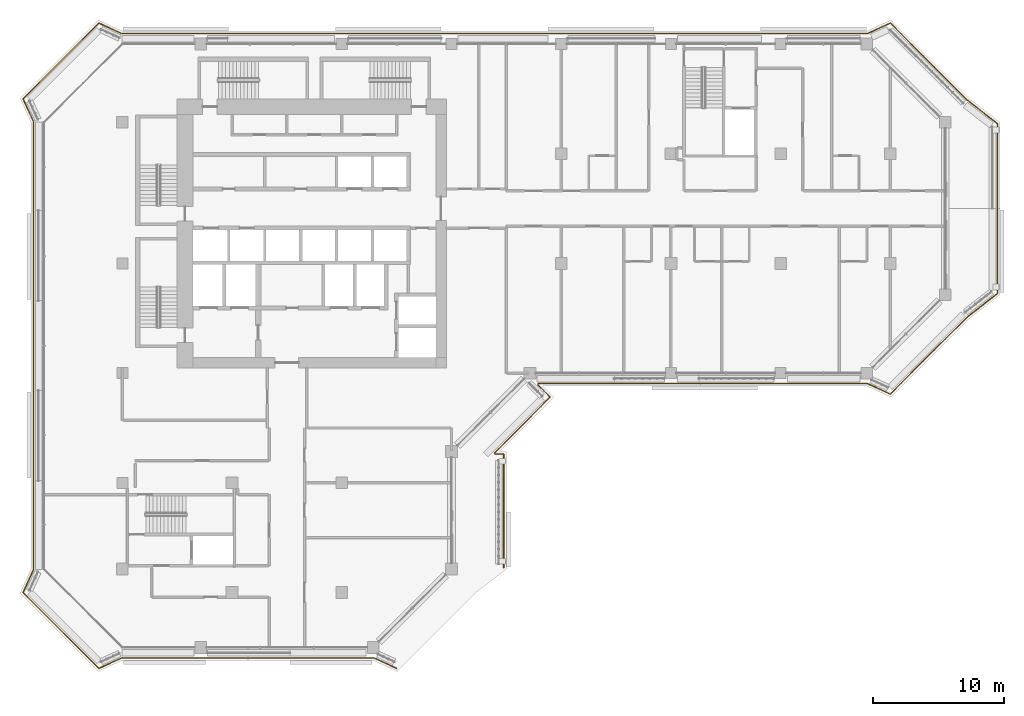
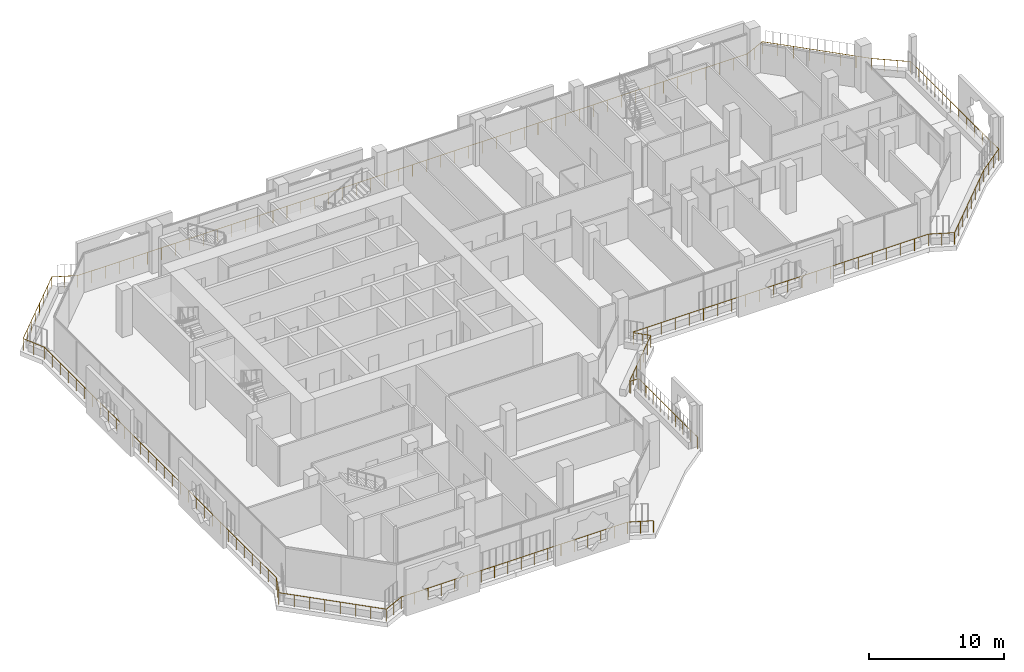
# One storey, part 18 of 22: 1 railing.
"""IFC4 building model written with IfcOpenShell, lengths in metres."""

from ifc_helpers import new_model, si_unit, direction, frame, origin, origin_2d, place, context, subcontext, project, spatial, circle, extrude, material, type_object, element, save


model = new_model("IFC4")

# Units and contexts
model_context = context("Model", 3, precision=1e-05, world=origin(), true_north=direction((0.0, 1.0)))
body_context = subcontext(model_context, "Body", "Model", "MODEL_VIEW")
ifc_project = project(units=[si_unit("LENGTHUNIT", "METRE"), si_unit("AREAUNIT", "SQUARE_METRE"), si_unit("VOLUMEUNIT", "CUBIC_METRE"), si_unit("PLANEANGLEUNIT", "RADIAN"), si_unit("MASSUNIT", "GRAM", prefix="KILO")], contexts=[model_context])

# Site, building, storey
site_placement = place(None, origin())
site = spatial("IfcSite", under=ifc_project, at=site_placement, CompositionType="ELEMENT")
building_placement = place(site_placement, origin())
building = spatial("IfcBuilding", under=site, at=building_placement, Name="Kawkab Arch Medical Tower", CompositionType="ELEMENT")
storey_placement = place(building_placement, frame((0.0, 0.0, 251.60009765625)))
storey = spatial("IfcBuildingStorey", under=building, at=storey_placement, Name="L58", CompositionType="ELEMENT", Elevation=251.60009765625)

# Railing
ifc_material = material(Name="Bronze anodised aluminium guard", Category="aluminium")
railing_type = type_object("IfcRailingType", Name="Loggia and terrace guard 1100", PredefinedType="GUARDRAIL", material=ifc_material)
railing_placement = place(storey_placement, frame((20.9951171875, -47.798095703125, 0.0)))
element("IfcRailing", 1, at=railing_placement, inside=storey, type_object=railing_type, Name="Guard L58.LOG-01.1.1", PredefinedType="GUARDRAIL", context=body_context, shape_type="SweptSolid", body=[
    extrude(circle(Radius=0.02392578125, at=origin_2d()), frame((0.0, 0.0, 1.076171875), z_axis=(-0.910044860056, 0.414509773934, 0.0), x_axis=(-0.414509773934, -0.910044860056, 0.0)), (0.0, 0.0, 1.0), 1.92529296875),
    extrude(circle(Radius=0.02392578125, at=origin_2d()), frame((-1.752197265625, 0.798095703125, 1.076171875), z_axis=(-1.0, 0.0, 0.0), x_axis=(0.0, -1.0, 0.0)), (0.0, 0.0, 1.0), 19.285888671875),
    extrude(circle(Radius=0.02392578125, at=origin_2d()), frame((-21.0380859375, 0.798095703125, 1.076171875), z_axis=(-0.910023069687, -0.414557610759, 0.0), x_axis=(0.414557610759, -0.910023069687, 0.0)), (0.0, 0.0, 1.0), 1.92529296875),
    extrude(circle(Radius=0.02392578125, at=origin_2d()), frame((-22.7900390625, 0.0, 1.076171875), z_axis=(-0.707106781187, 0.707106781187, 0.0), x_axis=(-0.707106781187, -0.707106781187, 0.0)), (0.0, 0.0, 1.0), 8.20654296875),
    extrude(circle(Radius=0.02392578125, at=origin_2d()), frame((-28.593017578125, 5.802978515625, 1.076171875), z_axis=(0.414404752076, 0.910092688388, 0.0), x_axis=(-0.910092688388, 0.414404752076, 0.0)), (0.0, 0.0, 1.0), 1.92529296875),
    extrude(circle(Radius=0.02392578125, at=origin_2d()), frame((-27.795166015625, 7.55517578125, 1.076171875), z_axis=(0.0, 1.0, 0.0), x_axis=(-1.0, 0.0, 0.0)), (0.0, 0.0, 1.0), 34.285888671875),
    extrude(circle(Radius=0.02392578125, at=origin_2d()), frame((-27.795166015625, 41.841064453125, 1.076171875), z_axis=(-0.414452581809, 0.910070907914, 0.0), x_axis=(-0.910070907914, -0.414452581809, 0.0)), (0.0, 0.0, 1.0), 1.925048828125),
    extrude(circle(Radius=0.02392578125, at=origin_2d()), frame((-28.593017578125, 43.593017578125, 1.076171875), z_axis=(0.707106781187, 0.707106781187, 0.0), x_axis=(-0.707106781187, 0.707106781187, 0.0)), (0.0, 0.0, 1.0), 8.20654296875),
    extrude(circle(Radius=0.02392578125, at=origin_2d()), frame((-22.7900390625, 49.39599609375, 1.076171875), z_axis=(0.910070907914, -0.414452581809, 0.0), x_axis=(0.414452581809, 0.910070907914, 0.0)), (0.0, 0.0, 1.0), 1.925048828125),
    extrude(circle(Radius=0.02392578125, at=origin_2d()), frame((-21.0380859375, 48.59814453125, 1.076171875), z_axis=(1.0, 0.0, 0.0), x_axis=(0.0, 1.0, 0.0)), (0.0, 0.0, 1.0), 57.0859375),
    extrude(circle(Radius=0.02392578125, at=origin_2d()), frame((36.0478515625, 48.59814453125, 1.076171875), z_axis=(0.910070907914, 0.414452581809, 0.0), x_axis=(-0.414452581809, 0.910070907914, 0.0)), (0.0, 0.0, 1.0), 1.925048828125),
    extrude(circle(Radius=0.02392578125, at=origin_2d()), frame((37.7998046875, 49.39599609375, 1.076171875), z_axis=(0.707121386154, -0.707092175918, 0.0), x_axis=(0.707092175918, 0.707121386154, 0.0)), (0.0, 0.0, 1.0), 8.358154296875),
    extrude(circle(Radius=0.02392578125, at=origin_2d()), frame((43.7099609375, 43.486083984375, 1.076171875), z_axis=(0.789193964876, -0.614144026922, 0.0), x_axis=(0.614144026922, 0.789193964876, 0.0)), (0.0, 0.0, 1.0), 2.907958984375),
    extrude(circle(Radius=0.02392578125, at=origin_2d()), frame((46.0048828125, 41.7001953125, 1.076171875), z_axis=(0.0, -1.0, 0.0), x_axis=(1.0, 0.0, 0.0)), (0.0, 0.0, 1.0), 13.004150390625),
    extrude(circle(Radius=0.02392578125, at=origin_2d()), frame((46.0048828125, 28.696044921875, 1.076171875), z_axis=(-0.789193964876, -0.614144026922, 0.0), x_axis=(0.614144026922, -0.789193964876, 0.0)), (0.0, 0.0, 1.0), 2.907958984375),
    extrude(circle(Radius=0.02392578125, at=origin_2d()), frame((43.7099609375, 26.91015625, 1.076171875), z_axis=(-0.707106781187, -0.707106781187, 0.0), x_axis=(0.707106781187, -0.707106781187, 0.0)), (0.0, 0.0, 1.0), 8.358154296875),
    extrude(circle(Radius=0.02392578125, at=origin_2d()), frame((37.7998046875, 21.0, 1.076171875), z_axis=(-0.910023069687, 0.414557610759, 0.0), x_axis=(-0.414557610759, -0.910023069687, 0.0)), (0.0, 0.0, 1.0), 1.92529296875),
    extrude(circle(Radius=0.02392578125, at=origin_2d()), frame((36.0478515625, 21.798095703125, 1.076171875), z_axis=(-1.0, 0.0, 0.0), x_axis=(0.0, -1.0, 0.0)), (0.0, 0.0, 1.0), 25.19287109375),
    extrude(circle(Radius=0.02392578125, at=origin_2d()), frame((10.85498046875, 21.798095703125, 1.076171875), z_axis=(-0.383763674343, -0.923431341387, 0.0), x_axis=(0.923431341387, -0.383763674343, 0.0)), (0.0, 0.0, 1.0), 0.101806640625),
    extrude(circle(Radius=0.02392578125, at=origin_2d()), frame((10.81591796875, 21.7041015625, 1.076171875), z_axis=(0.707015335112, -0.707198215437, 0.0), x_axis=(0.707198215437, 0.707015335112, 0.0)), (0.0, 0.0, 1.0), 1.3349609375),
    extrude(circle(Radius=0.02392578125, at=origin_2d()), frame((11.759765625, 20.760009765625, 1.076171875), z_axis=(-0.707025867263, -0.707187685852, 0.0), x_axis=(0.707187685852, -0.707025867263, 0.0)), (0.0, 0.0, 1.0), 6.034912109375),
    extrude(circle(Radius=0.02392578125, at=origin_2d()), frame((7.492919921875, 16.4921875, 1.076171875), z_axis=(0.383763674343, -0.923431341387, 0.0), x_axis=(0.923431341387, 0.383763674343, 0.0)), (0.0, 0.0, 1.0), 0.101806640625),
    extrude(circle(Radius=0.02392578125, at=origin_2d()), frame((7.531982421875, 16.398193359375, 1.076171875), z_axis=(1.0, 0.0, 0.0), x_axis=(0.0, 1.0, 0.0)), (0.0, 0.0, 1.0), 0.6728515625),
    extrude(circle(Radius=0.02392578125, at=origin_2d()), frame((8.204833984375, 16.398193359375, 1.076171875), z_axis=(0.0, -1.0, 0.0), x_axis=(1.0, 0.0, 0.0)), (0.0, 0.0, 1.0), 8.7021484375),
    extrude(circle(Radius=0.02099609375, at=origin_2d()), origin(), (0.0, 0.0, 1.0), 1.052001953125),
    extrude(circle(Radius=0.02099609375, at=origin_2d()), frame((-0.8759765625, 0.39892578125, 0.0)), (0.0, 0.0, 1.0), 1.052001953125),
    extrude(circle(Radius=0.02099609375, at=origin_2d()), frame((-1.752197265625, 0.798095703125, 0.0)), (0.0, 0.0, 1.0), 1.052001953125),
    extrude(circle(Radius=0.02099609375, at=origin_2d()), frame((-2.88671875, 0.798095703125, 0.0)), (0.0, 0.0, 1.0), 1.052001953125),
    extrude(circle(Radius=0.02099609375, at=origin_2d()), frame((-4.021240234375, 0.798095703125, 0.0)), (0.0, 0.0, 1.0), 1.052001953125),
    extrude(circle(Radius=0.02099609375, at=origin_2d()), frame((-5.155517578125, 0.798095703125, 0.0)), (0.0, 0.0, 1.0), 1.052001953125),
    extrude(circle(Radius=0.02099609375, at=origin_2d()), frame((-6.2900390625, 0.798095703125, 0.0)), (0.0, 0.0, 1.0), 1.052001953125),
    extrude(circle(Radius=0.02099609375, at=origin_2d()), frame((-7.424560546875, 0.798095703125, 0.0)), (0.0, 0.0, 1.0), 1.052001953125),
    extrude(circle(Radius=0.02099609375, at=origin_2d()), frame((-8.55908203125, 0.798095703125, 0.0)), (0.0, 0.0, 1.0), 1.052001953125),
    extrude(circle(Radius=0.02099609375, at=origin_2d()), frame((-9.693359375, 0.798095703125, 0.0)), (0.0, 0.0, 1.0), 1.052001953125),
    extrude(circle(Radius=0.02099609375, at=origin_2d()), frame((-10.827880859375, 0.798095703125, 0.0)), (0.0, 0.0, 1.0), 1.052001953125),
    extrude(circle(Radius=0.02099609375, at=origin_2d()), frame((-11.96240234375, 0.798095703125, 0.0)), (0.0, 0.0, 1.0), 1.052001953125),
    extrude(circle(Radius=0.02099609375, at=origin_2d()), frame((-13.096923828125, 0.798095703125, 0.0)), (0.0, 0.0, 1.0), 1.052001953125),
    extrude(circle(Radius=0.02099609375, at=origin_2d()), frame((-14.231201171875, 0.798095703125, 0.0)), (0.0, 0.0, 1.0), 1.052001953125),
    extrude(circle(Radius=0.02099609375, at=origin_2d()), frame((-15.36572265625, 0.798095703125, 0.0)), (0.0, 0.0, 1.0), 1.052001953125),
    extrude(circle(Radius=0.02099609375, at=origin_2d()), frame((-16.500244140625, 0.798095703125, 0.0)), (0.0, 0.0, 1.0), 1.052001953125),
    extrude(circle(Radius=0.02099609375, at=origin_2d()), frame((-17.634765625, 0.798095703125, 0.0)), (0.0, 0.0, 1.0), 1.052001953125),
    extrude(circle(Radius=0.02099609375, at=origin_2d()), frame((-18.76904296875, 0.798095703125, 0.0)), (0.0, 0.0, 1.0), 1.052001953125),
    extrude(circle(Radius=0.02099609375, at=origin_2d()), frame((-19.903564453125, 0.798095703125, 0.0)), (0.0, 0.0, 1.0), 1.052001953125),
    extrude(circle(Radius=0.02099609375, at=origin_2d()), frame((-21.0380859375, 0.798095703125, 0.0)), (0.0, 0.0, 1.0), 1.052001953125),
    extrude(circle(Radius=0.02099609375, at=origin_2d()), frame((-21.9140625, 0.39892578125, 0.0)), (0.0, 0.0, 1.0), 1.052001953125),
    extrude(circle(Radius=0.02099609375, at=origin_2d()), frame((-22.7900390625, 0.0, 0.0)), (0.0, 0.0, 1.0), 1.052001953125),
    extrude(circle(Radius=0.02099609375, at=origin_2d()), frame((-23.619140625, 0.8291015625, 0.0)), (0.0, 0.0, 1.0), 1.052001953125),
    extrude(circle(Radius=0.02099609375, at=origin_2d()), frame((-24.447998046875, 1.657958984375, 0.0)), (0.0, 0.0, 1.0), 1.052001953125),
    extrude(circle(Radius=0.02099609375, at=origin_2d()), frame((-25.277099609375, 2.487060546875, 0.0)), (0.0, 0.0, 1.0), 1.052001953125),
    extrude(circle(Radius=0.02099609375, at=origin_2d()), frame((-26.10595703125, 3.31591796875, 0.0)), (0.0, 0.0, 1.0), 1.052001953125),
    extrude(circle(Radius=0.02099609375, at=origin_2d()), frame((-26.93505859375, 4.14501953125, 0.0)), (0.0, 0.0, 1.0), 1.052001953125),
    extrude(circle(Radius=0.02099609375, at=origin_2d()), frame((-27.763916015625, 4.973876953125, 0.0)), (0.0, 0.0, 1.0), 1.052001953125),
    extrude(circle(Radius=0.02099609375, at=origin_2d()), frame((-28.593017578125, 5.802978515625, 0.0)), (0.0, 0.0, 1.0), 1.052001953125),
    extrude(circle(Radius=0.02099609375, at=origin_2d()), frame((-28.194091796875, 6.67919921875, 0.0)), (0.0, 0.0, 1.0), 1.052001953125),
    extrude(circle(Radius=0.02099609375, at=origin_2d()), frame((-27.795166015625, 7.55517578125, 0.0)), (0.0, 0.0, 1.0), 1.052001953125),
    extrude(circle(Radius=0.02099609375, at=origin_2d()), frame((-27.795166015625, 8.737548828125, 0.0)), (0.0, 0.0, 1.0), 1.052001953125),
    extrude(circle(Radius=0.02099609375, at=origin_2d()), frame((-27.795166015625, 9.919677734375, 0.0)), (0.0, 0.0, 1.0), 1.052001953125),
    extrude(circle(Radius=0.02099609375, at=origin_2d()), frame((-27.795166015625, 11.10205078125, 0.0)), (0.0, 0.0, 1.0), 1.052001953125),
    extrude(circle(Radius=0.02099609375, at=origin_2d()), frame((-27.795166015625, 12.2841796875, 0.0)), (0.0, 0.0, 1.0), 1.052001953125),
    extrude(circle(Radius=0.02099609375, at=origin_2d()), frame((-27.795166015625, 13.466552734375, 0.0)), (0.0, 0.0, 1.0), 1.052001953125),
    extrude(circle(Radius=0.02099609375, at=origin_2d()), frame((-27.795166015625, 14.64892578125, 0.0)), (0.0, 0.0, 1.0), 1.052001953125),
    extrude(circle(Radius=0.02099609375, at=origin_2d()), frame((-27.795166015625, 15.8310546875, 0.0)), (0.0, 0.0, 1.0), 1.052001953125),
    extrude(circle(Radius=0.02099609375, at=origin_2d()), frame((-27.795166015625, 17.013427734375, 0.0)), (0.0, 0.0, 1.0), 1.052001953125),
    extrude(circle(Radius=0.02099609375, at=origin_2d()), frame((-27.795166015625, 18.195556640625, 0.0)), (0.0, 0.0, 1.0), 1.052001953125),
    extrude(circle(Radius=0.02099609375, at=origin_2d()), frame((-27.795166015625, 19.3779296875, 0.0)), (0.0, 0.0, 1.0), 1.052001953125),
    extrude(circle(Radius=0.02099609375, at=origin_2d()), frame((-27.795166015625, 20.56005859375, 0.0)), (0.0, 0.0, 1.0), 1.052001953125),
    extrude(circle(Radius=0.02099609375, at=origin_2d()), frame((-27.795166015625, 21.742431640625, 0.0)), (0.0, 0.0, 1.0), 1.052001953125),
    extrude(circle(Radius=0.02099609375, at=origin_2d()), frame((-27.795166015625, 22.9248046875, 0.0)), (0.0, 0.0, 1.0), 1.052001953125),
    extrude(circle(Radius=0.02099609375, at=origin_2d()), frame((-27.795166015625, 24.10693359375, 0.0)), (0.0, 0.0, 1.0), 1.052001953125),
    extrude(circle(Radius=0.02099609375, at=origin_2d()), frame((-27.795166015625, 25.289306640625, 0.0)), (0.0, 0.0, 1.0), 1.052001953125),
    extrude(circle(Radius=0.02099609375, at=origin_2d()), frame((-27.795166015625, 26.471435546875, 0.0)), (0.0, 0.0, 1.0), 1.052001953125),
    extrude(circle(Radius=0.02099609375, at=origin_2d()), frame((-27.795166015625, 27.65380859375, 0.0)), (0.0, 0.0, 1.0), 1.052001953125),
    extrude(circle(Radius=0.02099609375, at=origin_2d()), frame((-27.795166015625, 28.836181640625, 0.0)), (0.0, 0.0, 1.0), 1.052001953125),
    extrude(circle(Radius=0.02099609375, at=origin_2d()), frame((-27.795166015625, 30.018310546875, 0.0)), (0.0, 0.0, 1.0), 1.052001953125),
    extrude(circle(Radius=0.02099609375, at=origin_2d()), frame((-27.795166015625, 31.20068359375, 0.0)), (0.0, 0.0, 1.0), 1.052001953125),
    extrude(circle(Radius=0.02099609375, at=origin_2d()), frame((-27.795166015625, 32.3828125, 0.0)), (0.0, 0.0, 1.0), 1.052001953125),
    extrude(circle(Radius=0.02099609375, at=origin_2d()), frame((-27.795166015625, 33.565185546875, 0.0)), (0.0, 0.0, 1.0), 1.052001953125),
    extrude(circle(Radius=0.02099609375, at=origin_2d()), frame((-27.795166015625, 34.747314453125, 0.0)), (0.0, 0.0, 1.0), 1.052001953125),
    extrude(circle(Radius=0.02099609375, at=origin_2d()), frame((-27.795166015625, 35.9296875, 0.0)), (0.0, 0.0, 1.0), 1.052001953125),
    extrude(circle(Radius=0.02099609375, at=origin_2d()), frame((-27.795166015625, 37.112060546875, 0.0)), (0.0, 0.0, 1.0), 1.052001953125),
    extrude(circle(Radius=0.02099609375, at=origin_2d()), frame((-27.795166015625, 38.294189453125, 0.0)), (0.0, 0.0, 1.0), 1.052001953125),
    extrude(circle(Radius=0.02099609375, at=origin_2d()), frame((-27.795166015625, 39.4765625, 0.0)), (0.0, 0.0, 1.0), 1.052001953125),
    extrude(circle(Radius=0.02099609375, at=origin_2d()), frame((-27.795166015625, 40.65869140625, 0.0)), (0.0, 0.0, 1.0), 1.052001953125),
    extrude(circle(Radius=0.02099609375, at=origin_2d()), frame((-27.795166015625, 41.841064453125, 0.0)), (0.0, 0.0, 1.0), 1.052001953125),
    extrude(circle(Radius=0.02099609375, at=origin_2d()), frame((-28.194091796875, 42.717041015625, 0.0)), (0.0, 0.0, 1.0), 1.052001953125),
    extrude(circle(Radius=0.02099609375, at=origin_2d()), frame((-28.593017578125, 43.593017578125, 0.0)), (0.0, 0.0, 1.0), 1.052001953125),
    extrude(circle(Radius=0.02099609375, at=origin_2d()), frame((-27.763916015625, 44.422119140625, 0.0)), (0.0, 0.0, 1.0), 1.052001953125),
    extrude(circle(Radius=0.02099609375, at=origin_2d()), frame((-26.93505859375, 45.2509765625, 0.0)), (0.0, 0.0, 1.0), 1.052001953125),
    extrude(circle(Radius=0.02099609375, at=origin_2d()), frame((-26.10595703125, 46.080078125, 0.0)), (0.0, 0.0, 1.0), 1.052001953125),
    extrude(circle(Radius=0.02099609375, at=origin_2d()), frame((-25.277099609375, 46.908935546875, 0.0)), (0.0, 0.0, 1.0), 1.052001953125),
    extrude(circle(Radius=0.02099609375, at=origin_2d()), frame((-24.447998046875, 47.738037109375, 0.0)), (0.0, 0.0, 1.0), 1.052001953125),
    extrude(circle(Radius=0.02099609375, at=origin_2d()), frame((-23.619140625, 48.56689453125, 0.0)), (0.0, 0.0, 1.0), 1.052001953125),
    extrude(circle(Radius=0.02099609375, at=origin_2d()), frame((-22.7900390625, 49.39599609375, 0.0)), (0.0, 0.0, 1.0), 1.052001953125),
    extrude(circle(Radius=0.02099609375, at=origin_2d()), frame((-21.9140625, 48.9970703125, 0.0)), (0.0, 0.0, 1.0), 1.052001953125),
    extrude(circle(Radius=0.02099609375, at=origin_2d()), frame((-21.0380859375, 48.59814453125, 0.0)), (0.0, 0.0, 1.0), 1.052001953125),
    extrude(circle(Radius=0.02099609375, at=origin_2d()), frame((-19.848876953125, 48.59814453125, 0.0)), (0.0, 0.0, 1.0), 1.052001953125),
    extrude(circle(Radius=0.02099609375, at=origin_2d()), frame((-18.659423828125, 48.59814453125, 0.0)), (0.0, 0.0, 1.0), 1.052001953125),
    extrude(circle(Radius=0.02099609375, at=origin_2d()), frame((-17.47021484375, 48.59814453125, 0.0)), (0.0, 0.0, 1.0), 1.052001953125),
    extrude(circle(Radius=0.02099609375, at=origin_2d()), frame((-16.281005859375, 48.59814453125, 0.0)), (0.0, 0.0, 1.0), 1.052001953125),
    extrude(circle(Radius=0.02099609375, at=origin_2d()), frame((-15.091552734375, 48.59814453125, 0.0)), (0.0, 0.0, 1.0), 1.052001953125),
    extrude(circle(Radius=0.02099609375, at=origin_2d()), frame((-13.90234375, 48.59814453125, 0.0)), (0.0, 0.0, 1.0), 1.052001953125),
    extrude(circle(Radius=0.02099609375, at=origin_2d()), frame((-12.713134765625, 48.59814453125, 0.0)), (0.0, 0.0, 1.0), 1.052001953125),
    extrude(circle(Radius=0.02099609375, at=origin_2d()), frame((-11.523681640625, 48.59814453125, 0.0)), (0.0, 0.0, 1.0), 1.052001953125),
    extrude(circle(Radius=0.02099609375, at=origin_2d()), frame((-10.33447265625, 48.59814453125, 0.0)), (0.0, 0.0, 1.0), 1.052001953125),
    extrude(circle(Radius=0.02099609375, at=origin_2d()), frame((-9.145263671875, 48.59814453125, 0.0)), (0.0, 0.0, 1.0), 1.052001953125),
    extrude(circle(Radius=0.02099609375, at=origin_2d()), frame((-7.955810546875, 48.59814453125, 0.0)), (0.0, 0.0, 1.0), 1.052001953125),
    extrude(circle(Radius=0.02099609375, at=origin_2d()), frame((-6.7666015625, 48.59814453125, 0.0)), (0.0, 0.0, 1.0), 1.052001953125),
    extrude(circle(Radius=0.02099609375, at=origin_2d()), frame((-5.577392578125, 48.59814453125, 0.0)), (0.0, 0.0, 1.0), 1.052001953125),
    extrude(circle(Radius=0.02099609375, at=origin_2d()), frame((-4.387939453125, 48.59814453125, 0.0)), (0.0, 0.0, 1.0), 1.052001953125),
    extrude(circle(Radius=0.02099609375, at=origin_2d()), frame((-3.19873046875, 48.59814453125, 0.0)), (0.0, 0.0, 1.0), 1.052001953125),
    extrude(circle(Radius=0.02099609375, at=origin_2d()), frame((-2.009521484375, 48.59814453125, 0.0)), (0.0, 0.0, 1.0), 1.052001953125),
    extrude(circle(Radius=0.02099609375, at=origin_2d()), frame((-0.820068359375, 48.59814453125, 0.0)), (0.0, 0.0, 1.0), 1.052001953125),
    extrude(circle(Radius=0.02099609375, at=origin_2d()), frame((0.369140625, 48.59814453125, 0.0)), (0.0, 0.0, 1.0), 1.052001953125),
    extrude(circle(Radius=0.02099609375, at=origin_2d()), frame((1.558349609375, 48.59814453125, 0.0)), (0.0, 0.0, 1.0), 1.052001953125),
    extrude(circle(Radius=0.02099609375, at=origin_2d()), frame((2.747802734375, 48.59814453125, 0.0)), (0.0, 0.0, 1.0), 1.052001953125),
    extrude(circle(Radius=0.02099609375, at=origin_2d()), frame((3.93701171875, 48.59814453125, 0.0)), (0.0, 0.0, 1.0), 1.052001953125),
    extrude(circle(Radius=0.02099609375, at=origin_2d()), frame((5.126220703125, 48.59814453125, 0.0)), (0.0, 0.0, 1.0), 1.052001953125),
    extrude(circle(Radius=0.02099609375, at=origin_2d()), frame((6.315673828125, 48.59814453125, 0.0)), (0.0, 0.0, 1.0), 1.052001953125),
    extrude(circle(Radius=0.02099609375, at=origin_2d()), frame((7.5048828125, 48.59814453125, 0.0)), (0.0, 0.0, 1.0), 1.052001953125),
    extrude(circle(Radius=0.02099609375, at=origin_2d()), frame((8.694091796875, 48.59814453125, 0.0)), (0.0, 0.0, 1.0), 1.052001953125),
    extrude(circle(Radius=0.02099609375, at=origin_2d()), frame((9.883544921875, 48.59814453125, 0.0)), (0.0, 0.0, 1.0), 1.052001953125),
    extrude(circle(Radius=0.02099609375, at=origin_2d()), frame((11.07275390625, 48.59814453125, 0.0)), (0.0, 0.0, 1.0), 1.052001953125),
    extrude(circle(Radius=0.02099609375, at=origin_2d()), frame((12.261962890625, 48.59814453125, 0.0)), (0.0, 0.0, 1.0), 1.052001953125),
    extrude(circle(Radius=0.02099609375, at=origin_2d()), frame((13.451416015625, 48.59814453125, 0.0)), (0.0, 0.0, 1.0), 1.052001953125),
    extrude(circle(Radius=0.02099609375, at=origin_2d()), frame((14.640625, 48.59814453125, 0.0)), (0.0, 0.0, 1.0), 1.052001953125),
    extrude(circle(Radius=0.02099609375, at=origin_2d()), frame((15.829833984375, 48.59814453125, 0.0)), (0.0, 0.0, 1.0), 1.052001953125),
    extrude(circle(Radius=0.02099609375, at=origin_2d()), frame((17.019287109375, 48.59814453125, 0.0)), (0.0, 0.0, 1.0), 1.052001953125),
    extrude(circle(Radius=0.02099609375, at=origin_2d()), frame((18.20849609375, 48.59814453125, 0.0)), (0.0, 0.0, 1.0), 1.052001953125),
    extrude(circle(Radius=0.02099609375, at=origin_2d()), frame((19.397705078125, 48.59814453125, 0.0)), (0.0, 0.0, 1.0), 1.052001953125),
    extrude(circle(Radius=0.02099609375, at=origin_2d()), frame((20.587158203125, 48.59814453125, 0.0)), (0.0, 0.0, 1.0), 1.052001953125),
    extrude(circle(Radius=0.02099609375, at=origin_2d()), frame((21.7763671875, 48.59814453125, 0.0)), (0.0, 0.0, 1.0), 1.052001953125),
    extrude(circle(Radius=0.02099609375, at=origin_2d()), frame((22.965576171875, 48.59814453125, 0.0)), (0.0, 0.0, 1.0), 1.052001953125),
    extrude(circle(Radius=0.02099609375, at=origin_2d()), frame((24.155029296875, 48.59814453125, 0.0)), (0.0, 0.0, 1.0), 1.052001953125),
    extrude(circle(Radius=0.02099609375, at=origin_2d()), frame((25.34423828125, 48.59814453125, 0.0)), (0.0, 0.0, 1.0), 1.052001953125),
    extrude(circle(Radius=0.02099609375, at=origin_2d()), frame((26.533447265625, 48.59814453125, 0.0)), (0.0, 0.0, 1.0), 1.052001953125),
    extrude(circle(Radius=0.02099609375, at=origin_2d()), frame((27.722900390625, 48.59814453125, 0.0)), (0.0, 0.0, 1.0), 1.052001953125),
    extrude(circle(Radius=0.02099609375, at=origin_2d()), frame((28.912109375, 48.59814453125, 0.0)), (0.0, 0.0, 1.0), 1.052001953125),
    extrude(circle(Radius=0.02099609375, at=origin_2d()), frame((30.101318359375, 48.59814453125, 0.0)), (0.0, 0.0, 1.0), 1.052001953125),
    extrude(circle(Radius=0.02099609375, at=origin_2d()), frame((31.290771484375, 48.59814453125, 0.0)), (0.0, 0.0, 1.0), 1.052001953125),
    extrude(circle(Radius=0.02099609375, at=origin_2d()), frame((32.47998046875, 48.59814453125, 0.0)), (0.0, 0.0, 1.0), 1.052001953125),
    extrude(circle(Radius=0.02099609375, at=origin_2d()), frame((33.669189453125, 48.59814453125, 0.0)), (0.0, 0.0, 1.0), 1.052001953125),
    extrude(circle(Radius=0.02099609375, at=origin_2d()), frame((34.858642578125, 48.59814453125, 0.0)), (0.0, 0.0, 1.0), 1.052001953125),
    extrude(circle(Radius=0.02099609375, at=origin_2d()), frame((36.0478515625, 48.59814453125, 0.0)), (0.0, 0.0, 1.0), 1.052001953125),
    extrude(circle(Radius=0.02099609375, at=origin_2d()), frame((36.923828125, 48.9970703125, 0.0)), (0.0, 0.0, 1.0), 1.052001953125),
    extrude(circle(Radius=0.02099609375, at=origin_2d()), frame((37.7998046875, 49.39599609375, 0.0)), (0.0, 0.0, 1.0), 1.052001953125),
    extrude(circle(Radius=0.02099609375, at=origin_2d()), frame((38.64404296875, 48.5517578125, 0.0)), (0.0, 0.0, 1.0), 1.052001953125),
    extrude(circle(Radius=0.02099609375, at=origin_2d()), frame((39.488525390625, 47.70751953125, 0.0)), (0.0, 0.0, 1.0), 1.052001953125),
    extrude(circle(Radius=0.02099609375, at=origin_2d()), frame((40.332763671875, 46.86328125, 0.0)), (0.0, 0.0, 1.0), 1.052001953125),
    extrude(circle(Radius=0.02099609375, at=origin_2d()), frame((41.177001953125, 46.018798828125, 0.0)), (0.0, 0.0, 1.0), 1.052001953125),
    extrude(circle(Radius=0.02099609375, at=origin_2d()), frame((42.021240234375, 45.174560546875, 0.0)), (0.0, 0.0, 1.0), 1.052001953125),
    extrude(circle(Radius=0.02099609375, at=origin_2d()), frame((42.86572265625, 44.330322265625, 0.0)), (0.0, 0.0, 1.0), 1.052001953125),
    extrude(circle(Radius=0.02099609375, at=origin_2d()), frame((43.7099609375, 43.486083984375, 0.0)), (0.0, 0.0, 1.0), 1.052001953125),
    extrude(circle(Radius=0.02099609375, at=origin_2d()), frame((44.474853515625, 42.890869140625, 0.0)), (0.0, 0.0, 1.0), 1.052001953125),
    extrude(circle(Radius=0.02099609375, at=origin_2d()), frame((45.239990234375, 42.29541015625, 0.0)), (0.0, 0.0, 1.0), 1.052001953125),
    extrude(circle(Radius=0.02099609375, at=origin_2d()), frame((46.0048828125, 41.7001953125, 0.0)), (0.0, 0.0, 1.0), 1.052001953125),
    extrude(circle(Radius=0.02099609375, at=origin_2d()), frame((46.0048828125, 40.51806640625, 0.0)), (0.0, 0.0, 1.0), 1.052001953125),
    extrude(circle(Radius=0.02099609375, at=origin_2d()), frame((46.0048828125, 39.335693359375, 0.0)), (0.0, 0.0, 1.0), 1.052001953125),
    extrude(circle(Radius=0.02099609375, at=origin_2d()), frame((46.0048828125, 38.153564453125, 0.0)), (0.0, 0.0, 1.0), 1.052001953125),
    extrude(circle(Radius=0.02099609375, at=origin_2d()), frame((46.0048828125, 36.971435546875, 0.0)), (0.0, 0.0, 1.0), 1.052001953125),
    extrude(circle(Radius=0.02099609375, at=origin_2d()), frame((46.0048828125, 35.789306640625, 0.0)), (0.0, 0.0, 1.0), 1.052001953125),
    extrude(circle(Radius=0.02099609375, at=origin_2d()), frame((46.0048828125, 34.60693359375, 0.0)), (0.0, 0.0, 1.0), 1.052001953125),
    extrude(circle(Radius=0.02099609375, at=origin_2d()), frame((46.0048828125, 33.4248046875, 0.0)), (0.0, 0.0, 1.0), 1.052001953125),
    extrude(circle(Radius=0.02099609375, at=origin_2d()), frame((46.0048828125, 32.24267578125, 0.0)), (0.0, 0.0, 1.0), 1.052001953125),
    extrude(circle(Radius=0.02099609375, at=origin_2d()), frame((46.0048828125, 31.060546875, 0.0)), (0.0, 0.0, 1.0), 1.052001953125),
    extrude(circle(Radius=0.02099609375, at=origin_2d()), frame((46.0048828125, 29.878173828125, 0.0)), (0.0, 0.0, 1.0), 1.052001953125),
    extrude(circle(Radius=0.02099609375, at=origin_2d()), frame((46.0048828125, 28.696044921875, 0.0)), (0.0, 0.0, 1.0), 1.052001953125),
    extrude(circle(Radius=0.02099609375, at=origin_2d()), frame((45.239990234375, 28.100830078125, 0.0)), (0.0, 0.0, 1.0), 1.052001953125),
    extrude(circle(Radius=0.02099609375, at=origin_2d()), frame((44.474853515625, 27.50537109375, 0.0)), (0.0, 0.0, 1.0), 1.052001953125),
    extrude(circle(Radius=0.02099609375, at=origin_2d()), frame((43.7099609375, 26.91015625, 0.0)), (0.0, 0.0, 1.0), 1.052001953125),
    extrude(circle(Radius=0.02099609375, at=origin_2d()), frame((42.86572265625, 26.06591796875, 0.0)), (0.0, 0.0, 1.0), 1.052001953125),
    extrude(circle(Radius=0.02099609375, at=origin_2d()), frame((42.021240234375, 25.221435546875, 0.0)), (0.0, 0.0, 1.0), 1.052001953125),
    extrude(circle(Radius=0.02099609375, at=origin_2d()), frame((41.177001953125, 24.377197265625, 0.0)), (0.0, 0.0, 1.0), 1.052001953125),
    extrude(circle(Radius=0.02099609375, at=origin_2d()), frame((40.332763671875, 23.532958984375, 0.0)), (0.0, 0.0, 1.0), 1.052001953125),
    extrude(circle(Radius=0.02099609375, at=origin_2d()), frame((39.488525390625, 22.688720703125, 0.0)), (0.0, 0.0, 1.0), 1.052001953125),
    extrude(circle(Radius=0.02099609375, at=origin_2d()), frame((38.64404296875, 21.84423828125, 0.0)), (0.0, 0.0, 1.0), 1.052001953125),
    extrude(circle(Radius=0.02099609375, at=origin_2d()), frame((37.7998046875, 21.0, 0.0)), (0.0, 0.0, 1.0), 1.052001953125),
    extrude(circle(Radius=0.02099609375, at=origin_2d()), frame((36.923828125, 21.39892578125, 0.0)), (0.0, 0.0, 1.0), 1.052001953125),
    extrude(circle(Radius=0.02099609375, at=origin_2d()), frame((36.0478515625, 21.798095703125, 0.0)), (0.0, 0.0, 1.0), 1.052001953125),
    extrude(circle(Radius=0.02099609375, at=origin_2d()), frame((34.84814453125, 21.798095703125, 0.0)), (0.0, 0.0, 1.0), 1.052001953125),
    extrude(circle(Radius=0.02099609375, at=origin_2d()), frame((33.6484375, 21.798095703125, 0.0)), (0.0, 0.0, 1.0), 1.052001953125),
    extrude(circle(Radius=0.02099609375, at=origin_2d()), frame((32.448974609375, 21.798095703125, 0.0)), (0.0, 0.0, 1.0), 1.052001953125),
    extrude(circle(Radius=0.02099609375, at=origin_2d()), frame((31.249267578125, 21.798095703125, 0.0)), (0.0, 0.0, 1.0), 1.052001953125),
    extrude(circle(Radius=0.02099609375, at=origin_2d()), frame((30.049560546875, 21.798095703125, 0.0)), (0.0, 0.0, 1.0), 1.052001953125),
    extrude(circle(Radius=0.02099609375, at=origin_2d()), frame((28.849853515625, 21.798095703125, 0.0)), (0.0, 0.0, 1.0), 1.052001953125),
    extrude(circle(Radius=0.02099609375, at=origin_2d()), frame((27.650146484375, 21.798095703125, 0.0)), (0.0, 0.0, 1.0), 1.052001953125),
    extrude(circle(Radius=0.02099609375, at=origin_2d()), frame((26.45068359375, 21.798095703125, 0.0)), (0.0, 0.0, 1.0), 1.052001953125),
    extrude(circle(Radius=0.02099609375, at=origin_2d()), frame((25.2509765625, 21.798095703125, 0.0)), (0.0, 0.0, 1.0), 1.052001953125),
    extrude(circle(Radius=0.02099609375, at=origin_2d()), frame((24.05126953125, 21.798095703125, 0.0)), (0.0, 0.0, 1.0), 1.052001953125),
    extrude(circle(Radius=0.02099609375, at=origin_2d()), frame((22.8515625, 21.798095703125, 0.0)), (0.0, 0.0, 1.0), 1.052001953125),
    extrude(circle(Radius=0.02099609375, at=origin_2d()), frame((21.65185546875, 21.798095703125, 0.0)), (0.0, 0.0, 1.0), 1.052001953125),
    extrude(circle(Radius=0.02099609375, at=origin_2d()), frame((20.4521484375, 21.798095703125, 0.0)), (0.0, 0.0, 1.0), 1.052001953125),
    extrude(circle(Radius=0.02099609375, at=origin_2d()), frame((19.252685546875, 21.798095703125, 0.0)), (0.0, 0.0, 1.0), 1.052001953125),
    extrude(circle(Radius=0.02099609375, at=origin_2d()), frame((18.052978515625, 21.798095703125, 0.0)), (0.0, 0.0, 1.0), 1.052001953125),
    extrude(circle(Radius=0.02099609375, at=origin_2d()), frame((16.853271484375, 21.798095703125, 0.0)), (0.0, 0.0, 1.0), 1.052001953125),
    extrude(circle(Radius=0.02099609375, at=origin_2d()), frame((15.653564453125, 21.798095703125, 0.0)), (0.0, 0.0, 1.0), 1.052001953125),
    extrude(circle(Radius=0.02099609375, at=origin_2d()), frame((14.453857421875, 21.798095703125, 0.0)), (0.0, 0.0, 1.0), 1.052001953125),
    extrude(circle(Radius=0.02099609375, at=origin_2d()), frame((13.25439453125, 21.798095703125, 0.0)), (0.0, 0.0, 1.0), 1.052001953125),
    extrude(circle(Radius=0.02099609375, at=origin_2d()), frame((12.0546875, 21.798095703125, 0.0)), (0.0, 0.0, 1.0), 1.052001953125),
    extrude(circle(Radius=0.02099609375, at=origin_2d()), frame((10.85498046875, 21.798095703125, 0.0)), (0.0, 0.0, 1.0), 1.052001953125),
    extrude(circle(Radius=0.02099609375, at=origin_2d()), frame((10.81591796875, 21.7041015625, 0.0)), (0.0, 0.0, 1.0), 1.052001953125),
    extrude(circle(Radius=0.02099609375, at=origin_2d()), frame((11.287841796875, 21.23193359375, 0.0)), (0.0, 0.0, 1.0), 1.052001953125),
    extrude(circle(Radius=0.02099609375, at=origin_2d()), frame((11.759765625, 20.760009765625, 0.0)), (0.0, 0.0, 1.0), 1.052001953125),
    extrude(circle(Radius=0.02099609375, at=origin_2d()), frame((11.048583984375, 20.048828125, 0.0)), (0.0, 0.0, 1.0), 1.052001953125),
    extrude(circle(Radius=0.02099609375, at=origin_2d()), frame((10.33740234375, 19.33740234375, 0.0)), (0.0, 0.0, 1.0), 1.052001953125),
    extrude(circle(Radius=0.02099609375, at=origin_2d()), frame((9.62646484375, 18.6259765625, 0.0)), (0.0, 0.0, 1.0), 1.052001953125),
    extrude(circle(Radius=0.02099609375, at=origin_2d()), frame((8.915283203125, 17.914794921875, 0.0)), (0.0, 0.0, 1.0), 1.052001953125),
    extrude(circle(Radius=0.02099609375, at=origin_2d()), frame((8.2041015625, 17.20361328125, 0.0)), (0.0, 0.0, 1.0), 1.052001953125),
    extrude(circle(Radius=0.02099609375, at=origin_2d()), frame((7.492919921875, 16.4921875, 0.0)), (0.0, 0.0, 1.0), 1.052001953125),
    extrude(circle(Radius=0.02099609375, at=origin_2d()), frame((7.531982421875, 16.398193359375, 0.0)), (0.0, 0.0, 1.0), 1.052001953125),
    extrude(circle(Radius=0.02099609375, at=origin_2d()), frame((8.204833984375, 16.398193359375, 0.0)), (0.0, 0.0, 1.0), 1.052001953125),
    extrude(circle(Radius=0.02099609375, at=origin_2d()), frame((8.204833984375, 15.310546875, 0.0)), (0.0, 0.0, 1.0), 1.052001953125),
    extrude(circle(Radius=0.02099609375, at=origin_2d()), frame((8.204833984375, 14.22265625, 0.0)), (0.0, 0.0, 1.0), 1.052001953125),
    extrude(circle(Radius=0.02099609375, at=origin_2d()), frame((8.204833984375, 13.134765625, 0.0)), (0.0, 0.0, 1.0), 1.052001953125),
    extrude(circle(Radius=0.02099609375, at=origin_2d()), frame((8.204833984375, 12.047119140625, 0.0)), (0.0, 0.0, 1.0), 1.052001953125),
    extrude(circle(Radius=0.02099609375, at=origin_2d()), frame((8.204833984375, 10.95947265625, 0.0)), (0.0, 0.0, 1.0), 1.052001953125),
    extrude(circle(Radius=0.02099609375, at=origin_2d()), frame((8.204833984375, 9.87158203125, 0.0)), (0.0, 0.0, 1.0), 1.052001953125),
    extrude(circle(Radius=0.02099609375, at=origin_2d()), frame((8.204833984375, 8.78369140625, 0.0)), (0.0, 0.0, 1.0), 1.052001953125),
    extrude(circle(Radius=0.02099609375, at=origin_2d()), frame((8.204833984375, 7.696044921875, 0.0)), (0.0, 0.0, 1.0), 1.052001953125),
])

save(model, "model.ifc")
